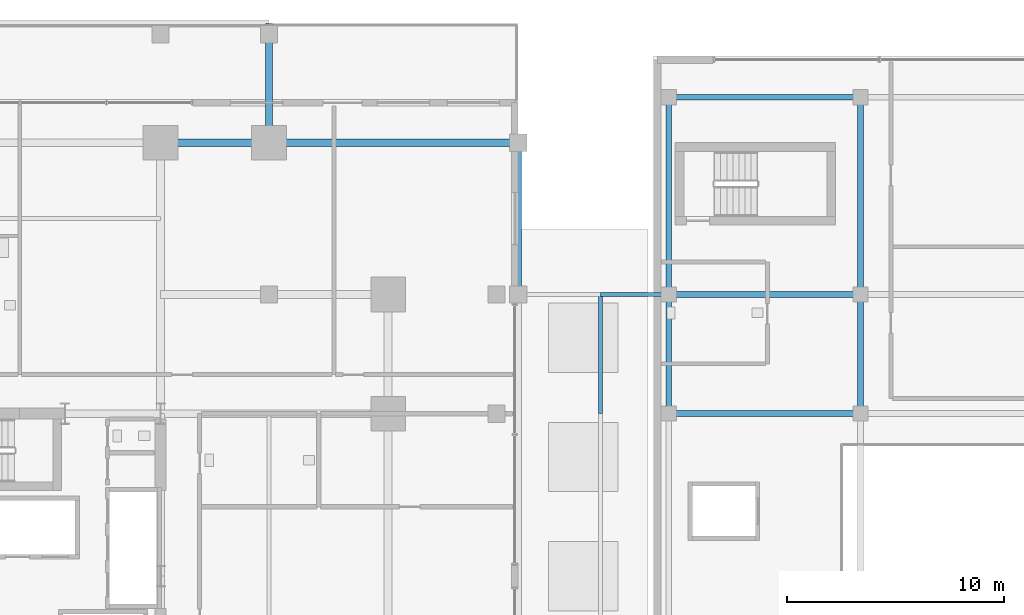
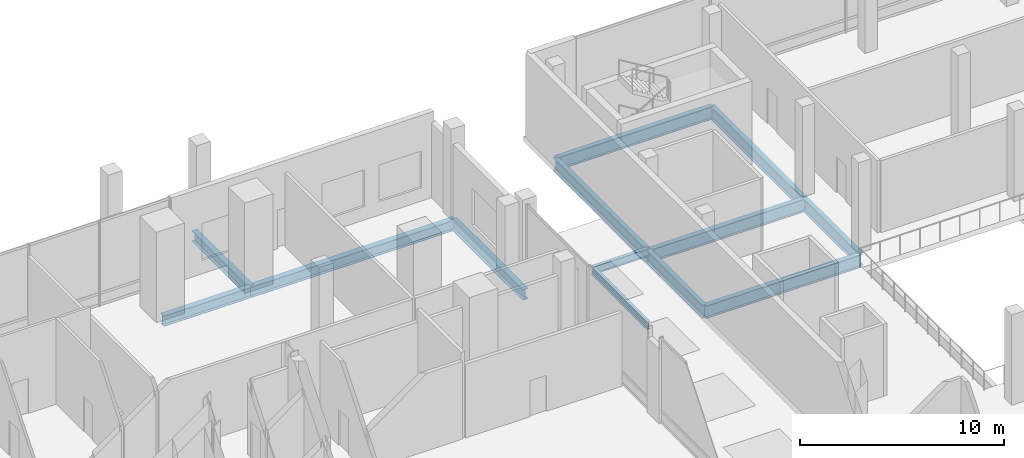
# One storey, part 20 of 36: 13 beams.
"""IFC4 building model written with IfcOpenShell, lengths in metres."""

from ifc_helpers import new_model, si_unit, direction, frame, origin, origin_2d, place, context, subcontext, project, spatial, i_section, extrude, material, material_profile, profile_set, type_object, element, save


model = new_model("IFC4")

# Units and contexts
model_context = context("Model", 3, precision=1e-05, world=origin(), true_north=direction((0.0, 1.0)))
body_context = subcontext(model_context, "Body", "Model", "MODEL_VIEW")
ifc_project = project(units=[si_unit("LENGTHUNIT", "METRE"), si_unit("AREAUNIT", "SQUARE_METRE"), si_unit("VOLUMEUNIT", "CUBIC_METRE"), si_unit("PLANEANGLEUNIT", "RADIAN"), si_unit("MASSUNIT", "GRAM", prefix="KILO")], contexts=[model_context])

# Site, building, storey
site_placement = place(None, origin())
site = spatial("IfcSite", under=ifc_project, at=site_placement, CompositionType="ELEMENT")
building_placement = place(site_placement, origin())
building = spatial("IfcBuilding", under=site, at=building_placement, Name="Barlavira Tower and Art Museum", CompositionType="ELEMENT")
storey_placement = place(building_placement, frame((0.0, 0.0, 11.39990234375)))
storey = spatial("IfcBuildingStorey", under=building, at=storey_placement, Name="L02", CompositionType="ELEMENT", Elevation=11.39990234375)

# Beams
ifc_material = material(Name="Steel S355", Category="steel")
ifc_material_profile_1 = material_profile(ifc_material, i_section(OverallWidth=0.194091796875, OverallDepth=0.468994140625, WebThickness=0.0126953125, FlangeThickness=0.0205078125, at=origin_2d()), Name="W460x106.0")
ifc_profile_set_1 = profile_set([ifc_material_profile_1], Name="Steel S355")
beam_type_1 = type_object("IfcBeamType", Name="Covered Arcade Roof Girder W460x106 Steel S355", PredefinedType="BEAM", material=ifc_profile_set_1)
beam_1_placement = place(storey_placement, frame((26.800048828125, 13.0, -0.46435546875), z_axis=(1.0, 0.0, 0.0), x_axis=(0.0, 1.0, 0.0)))
element("IfcBeam", 1, at=beam_1_placement, inside=storey, type_object=beam_type_1, Name="L02 Arcade Sliding-Bearing Span 2", PredefinedType="BEAM", context=body_context, shape_type="SweptSolid", body=[
    extrude(i_section(OverallWidth=0.194091796875, OverallDepth=0.468994140625, WebThickness=0.0126953125, FlangeThickness=0.0205078125, at=origin_2d()), origin(), (0.0, 0.0, 1.0), 3.14990234375),
])
beam_2_placement = place(storey_placement, frame((26.800048828125, 7.5, -0.46435546875), z_axis=(0.0, 1.0, 0.0), x_axis=(-1.0, 0.0, 0.0)))
element("IfcBeam", 2, at=beam_2_placement, inside=storey, type_object=beam_type_1, Name="L02 Arcade Longitudinal Beam 3", PredefinedType="BEAM", context=body_context, shape_type="SweptSolid", body=[
    extrude(i_section(OverallWidth=0.194091796875, OverallDepth=0.468994140625, WebThickness=0.0126953125, FlangeThickness=0.0205078125, at=origin_2d()), origin(), (0.0, 0.0, 1.0), 5.5),
])
ifc_material_profile_2 = material_profile(ifc_material, i_section(OverallWidth=0.26904296875, OverallDepth=0.76806640625, WebThickness=0.016845703125, FlangeThickness=0.026611328125, at=origin_2d()), Name="W760x220.0")
ifc_profile_set_2 = profile_set([ifc_material_profile_2], Name="Steel S355")
beam_type_2 = type_object("IfcBeamType", Name="Museum Long-Span Gallery Girder W760x220 Steel S355", PredefinedType="BEAM", material=ifc_profile_set_2)
beam_3_placement = place(storey_placement, frame((29.949951171875, 7.5, -0.703857421875), z_axis=(0.0, 1.0, 0.0), x_axis=(-1.0, 0.0, 0.0)))
element("IfcBeam", 3, at=beam_3_placement, inside=storey, type_object=beam_type_2, Name="L02 Museum Girder Y 1-4", PredefinedType="BEAM", context=body_context, shape_type="SweptSolid", body=[
    extrude(i_section(OverallWidth=0.26904296875, OverallDepth=0.76806640625, WebThickness=0.016845703125, FlangeThickness=0.026611328125, at=origin_2d()), origin(), (0.0, 0.0, 1.0), 5.5),
])
beam_4_placement = place(storey_placement, frame((29.949951171875, 13.0, -0.703857421875), z_axis=(0.0, 1.0, 0.0), x_axis=(-1.0, 0.0, 0.0)))
element("IfcBeam", 4, at=beam_4_placement, inside=storey, type_object=beam_type_2, Name="L02 Museum Girder Y 1-5", PredefinedType="BEAM", context=body_context, shape_type="SweptSolid", body=[
    extrude(i_section(OverallWidth=0.26904296875, OverallDepth=0.76806640625, WebThickness=0.016845703125, FlangeThickness=0.026611328125, at=origin_2d()), origin(), (0.0, 0.0, 1.0), 9.10009765625),
])
beam_5_placement = place(storey_placement, frame((38.800048828125, 7.5, -0.703857421875), z_axis=(0.0, 1.0, 0.0), x_axis=(-1.0, 0.0, 0.0)))
element("IfcBeam", 5, at=beam_5_placement, inside=storey, type_object=beam_type_2, Name="L02 Museum Girder Y 2-4", PredefinedType="BEAM", context=body_context, shape_type="SweptSolid", body=[
    extrude(i_section(OverallWidth=0.26904296875, OverallDepth=0.76806640625, WebThickness=0.016845703125, FlangeThickness=0.026611328125, at=origin_2d()), origin(), (0.0, 0.0, 1.0), 5.5),
])
beam_6_placement = place(storey_placement, frame((38.800048828125, 13.0, -0.703857421875), z_axis=(0.0, 1.0, 0.0), x_axis=(-1.0, 0.0, 0.0)))
element("IfcBeam", 6, at=beam_6_placement, inside=storey, type_object=beam_type_2, Name="L02 Museum Girder Y 2-5", PredefinedType="BEAM", context=body_context, shape_type="SweptSolid", body=[
    extrude(i_section(OverallWidth=0.26904296875, OverallDepth=0.76806640625, WebThickness=0.016845703125, FlangeThickness=0.026611328125, at=origin_2d()), origin(), (0.0, 0.0, 1.0), 9.10009765625),
])
for number, where, z_axis, x_axis, name in (
    (7, (29.949951171875, 7.5, -0.703857421875), (1.0, 0.0, 0.0), (0.0, 1.0, 0.0), "L02 Museum Girder X 4-1"),
    (8, (29.949951171875, 13.0, -0.703857421875), (1.0, 0.0, 0.0), (0.0, 1.0, 0.0), "L02 Museum Girder X 5-1"),
    (9, (29.949951171875, 22.10009765625, -0.703857421875), (1.0, 0.0, 0.0), (0.0, 1.0, 0.0), "L02 Museum Girder X 6-1"),
):
    element("IfcBeam", number, at=place(storey_placement, frame(where, z_axis=z_axis, x_axis=x_axis)), inside=storey, type_object=beam_type_2, Name=name, PredefinedType="BEAM", context=body_context, shape_type="SweptSolid", body=[
        extrude(i_section(OverallWidth=0.26904296875, OverallDepth=0.76806640625, WebThickness=0.016845703125, FlangeThickness=0.026611328125, at=origin_2d()), origin(), (0.0, 0.0, 1.0), 8.85009765625),
    ])
ifc_material_profile_3 = material_profile(ifc_material, i_section(OverallWidth=0.327880859375, OverallDepth=0.62890625, WebThickness=0.013916015625, FlangeThickness=0.021484375, at=origin_2d()), Name="W610x174.0")
ifc_profile_set_3 = profile_set([ifc_material_profile_3], Name="Steel S355")
beam_type_3 = type_object("IfcBeamType", Name="Perimeter Spandrel Edge Beam W610x174 Steel S355", PredefinedType="SPANDREL", material=ifc_profile_set_3)
beam_7_placement = place(storey_placement, frame((6.5, 20.0, -0.594482421875), z_axis=(1.0, 0.0, 0.0), x_axis=(0.0, 1.0, 0.0)))
element("IfcBeam", 10, at=beam_7_placement, inside=storey, type_object=beam_type_3, Name="L02 Podium Spandrel PN4", PredefinedType="SPANDREL", context=body_context, shape_type="SweptSolid", body=[
    extrude(i_section(OverallWidth=0.327880859375, OverallDepth=0.62890625, WebThickness=0.013916015625, FlangeThickness=0.021484375, at=origin_2d()), origin(), (0.0, 0.0, 1.0), 5.0),
])
beam_8_placement = place(storey_placement, frame((11.5, 20.0, -0.594482421875), z_axis=(1.0, 0.0, 0.0), x_axis=(0.0, 1.0, 0.0)))
element("IfcBeam", 11, at=beam_8_placement, inside=storey, type_object=beam_type_3, Name="L02 Podium Spandrel PN5", PredefinedType="SPANDREL", context=body_context, shape_type="SweptSolid", body=[
    extrude(i_section(OverallWidth=0.327880859375, OverallDepth=0.62890625, WebThickness=0.013916015625, FlangeThickness=0.021484375, at=origin_2d()), origin(), (0.0, 0.0, 1.0), 11.5),
])
beam_9_placement = place(storey_placement, frame((23.0, 13.0, -0.594482421875), z_axis=(0.0, 1.0, 0.0), x_axis=(-1.0, 0.0, 0.0)))
element("IfcBeam", 12, at=beam_9_placement, inside=storey, type_object=beam_type_3, Name="L02 Podium Spandrel PE3", PredefinedType="SPANDREL", context=body_context, shape_type="SweptSolid", body=[
    extrude(i_section(OverallWidth=0.327880859375, OverallDepth=0.62890625, WebThickness=0.013916015625, FlangeThickness=0.021484375, at=origin_2d()), origin(), (0.0, 0.0, 1.0), 7.0),
])
beam_10_placement = place(storey_placement, frame((11.5, 20.0, -0.594482421875), z_axis=(0.0, 1.0, 0.0), x_axis=(-1.0, 0.0, 0.0)))
element("IfcBeam", 13, at=beam_10_placement, inside=storey, type_object=beam_type_3, Name="L02 NE Cascade Spandrel", PredefinedType="SPANDREL", context=body_context, shape_type="SweptSolid", body=[
    extrude(i_section(OverallWidth=0.327880859375, OverallDepth=0.62890625, WebThickness=0.013916015625, FlangeThickness=0.021484375, at=origin_2d()), origin(), (0.0, 0.0, 1.0), 5.5),
])

save(model, "model.ifc")
